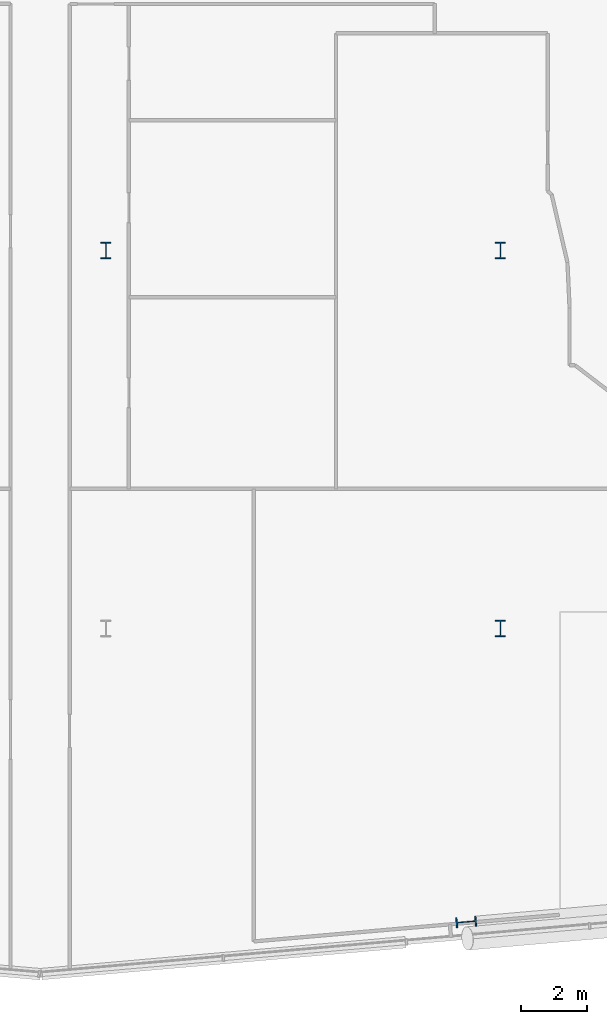
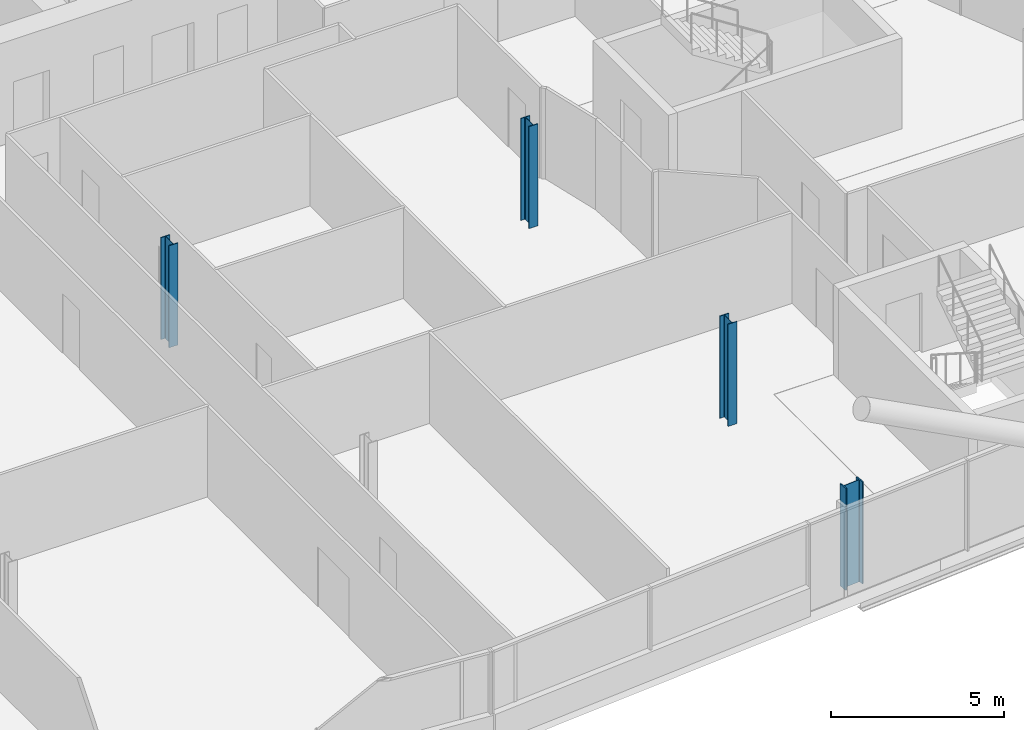
# One storey, part 2 of 26: 4 columns.
"""IFC4 building model written with IfcOpenShell, lengths in metres."""

import ifcopenshell
import ifcopenshell.guid

model = None  # the IFC model being written
_history = None  # IfcOwnerHistory: only IFC2X3 demands one
_inside = {}  # id of a spatial element -> (the spatial element, [elements in it])
_under = {}  # id of a project, library or spatial element -> (it, [spatial elements below it])
_declared = {}  # id of a project -> (the project, [libraries it declares])
_typed = {}  # id of a type object -> (the type object, [elements of that type])
_made_of = {}  # id of a material, layer set ... -> (it, [elements and type objects made of it])


def new_model(schema):
    """Start an empty IFC model of exactly this schema.

    Asked for "IFC4X3", IfcOpenShell would pick the latest addendum, in which some entities
    have other attributes; the version numbers below select the first issue.
    IFC2X3 requires an IfcOwnerHistory on every rooted entity: one is made here for all.
    """
    global model, _history
    if schema == "IFC4X3":
        model = ifcopenshell.file(schema_version=(4, 3, 0, 0))
    else:
        model = ifcopenshell.file(schema=schema)
    _inside.clear()
    _under.clear()
    _declared.clear()
    _typed.clear()
    _made_of.clear()
    _history = None
    if model.schema == "IFC2X3":
        org = make("IfcOrganization", Name="unknown")
        user = make(
            "IfcPersonAndOrganization",
            ThePerson=make("IfcPerson", FamilyName="unknown"),
            TheOrganization=org,
        )
        app = make(
            "IfcApplication",
            ApplicationDeveloper=org,
            Version="unknown",
            ApplicationFullName="unknown",
            ApplicationIdentifier="unknown",
        )
        _history = make(
            "IfcOwnerHistory",
            OwningUser=user,
            OwningApplication=app,
            ChangeAction="ADDED",
            CreationDate=0,
        )
    return model


def make(cls, **values):
    """One entity of the class cls with the attributes given. An attribute that is None is left unset."""
    return model.create_entity(
        cls, **{name: value for name, value in values.items() if value is not None}
    )


def rooted(cls, **values):
    """An entity with a GlobalId (a new one), such as an element, a storey or a relation."""
    return make(cls, GlobalId=ifcopenshell.guid.new(), OwnerHistory=_history, **values)


def si_unit(unit_type, name, prefix=None):
    """IfcSIUnit, for example si_unit("LENGTHUNIT", "METRE", prefix="MILLI")."""
    return make("IfcSIUnit", UnitType=unit_type, Prefix=prefix, Name=name)


def assignment(units):
    """IfcUnitAssignment: the units of a project."""
    return None if units is None else make("IfcUnitAssignment", Units=units)


def point(xyz):
    """IfcCartesianPoint."""
    return None if xyz is None else make("IfcCartesianPoint", Coordinates=xyz)


def direction(xyz):
    """IfcDirection."""
    return None if xyz is None else make("IfcDirection", DirectionRatios=xyz)


def frame(location, z_axis=None, x_axis=None):
    """IfcAxis2Placement3D, a coordinate frame: its origin and axes. An axis left out is left unset."""
    return make(
        "IfcAxis2Placement3D",
        Location=point(location),
        Axis=direction(z_axis),
        RefDirection=direction(x_axis),
    )


def frame_2d(location, x_axis=None):
    """IfcAxis2Placement2D, a coordinate frame in the plane: its origin and x axis."""
    return make(
        "IfcAxis2Placement2D", Location=point(location), RefDirection=direction(x_axis)
    )


def origin():
    """The frame at (0, 0, 0) with its axes left unset."""
    return frame((0.0, 0.0, 0.0))


def origin_2d():
    """The frame at (0, 0) in the plane with its x axis left unset."""
    return frame_2d((0.0, 0.0))


def place(relative_to, where):
    """IfcLocalPlacement: puts the frame where relative to a parent placement (None: the world)."""
    return make(
        "IfcLocalPlacement", PlacementRelTo=relative_to, RelativePlacement=where
    )


def context(
    kind, dimensions, precision=None, world=None, true_north=None, identifier=None
):
    """IfcGeometricRepresentationContext, for example the 3D "Model" context."""
    return make(
        "IfcGeometricRepresentationContext",
        ContextIdentifier=identifier,
        ContextType=kind,
        CoordinateSpaceDimension=dimensions,
        Precision=precision,
        WorldCoordinateSystem=world,
        TrueNorth=true_north,
    )


def subcontext(parent, identifier, kind, view, scale=None):
    """IfcGeometricRepresentationSubContext, for example "Body" below "Model"."""
    return make(
        "IfcGeometricRepresentationSubContext",
        ContextIdentifier=identifier,
        ContextType=kind,
        ParentContext=parent,
        TargetScale=scale,
        TargetView=view,
    )


def project(units=None, contexts=None):
    """IfcProject with its units and contexts."""
    return rooted(
        "IfcProject",
        Name="project",
        RepresentationContexts=contexts,
        UnitsInContext=assignment(units),
    )


def spatial(cls, under=None, at=None, **own):
    """A site, building, storey or space (cls), placed at a placement, below another one or the project."""
    s = rooted(cls, ObjectPlacement=at, **own)
    if under is not None:
        _under.setdefault(under.id(), (under, []))[1].append(s)
    return s


def profile(cls, at=None, kind="AREA", **sizes):
    """A parametric profile (cls). Its sizes go by their IFC names, for example OverallWidth=200.0."""
    return make(cls, ProfileType=kind, Position=at, **sizes)


def i_section(**sizes):
    """IfcIShapeProfileDef."""
    return profile("IfcIShapeProfileDef", **sizes)


def extrude(swept, where, along, depth):
    """IfcExtrudedAreaSolid: the profile swept, set in the frame where, extruded along a direction by depth."""
    return make(
        "IfcExtrudedAreaSolid",
        SweptArea=swept,
        Position=where,
        ExtrudedDirection=direction(along),
        Depth=depth,
    )


def shape(context_of_items, identifier, shape_type, items):
    """IfcShapeRepresentation: the items that make up one representation, for example the "Body"."""
    return make(
        "IfcShapeRepresentation",
        ContextOfItems=context_of_items,
        RepresentationIdentifier=identifier,
        RepresentationType=shape_type,
        Items=items,
    )


def material(Name=None, Category=None):
    """IfcMaterial."""
    return make("IfcMaterial", Name=Name, Category=Category)


def material_profile(
    of_material, cross_section, Name=None, Category=None, Priority=None
):
    """IfcMaterialProfile: a cross section and its material."""
    return make(
        "IfcMaterialProfile",
        Name=Name,
        Material=of_material,
        Profile=cross_section,
        Priority=Priority,
        Category=Category,
    )


def profile_set(profiles, Name=None, composite=None):
    """IfcMaterialProfileSet."""
    return make(
        "IfcMaterialProfileSet",
        Name=Name,
        MaterialProfiles=profiles,
        CompositeProfile=composite,
    )


def made_of(thing, what):
    """Note that an element or type object is made of a material, layer set ...; save() writes the relation."""
    if what is not None:
        _made_of.setdefault(what.id(), (what, []))[1].append(thing)
    return thing


def type_object(cls, material=None, **own):
    """A type object (cls), such as IfcWallType, which elements share."""
    return made_of(rooted(cls, **own), material)


def element(
    cls,
    number,
    at=None,
    inside=None,
    cuts=None,
    type_object=None,
    material=None,
    context=None,
    identifier="Body",
    shape_type=None,
    held_by="IfcProductDefinitionShape",
    body=None,
    shapes=None,
    **own,
):
    """One element of the class cls, such as IfcWall. Its Tag is "e" and its number.

    at: its placement. inside: the storey or other place that contains it. cuts: it is an
    opening in that element (IfcRelVoidsElement). A single representation is given by context,
    identifier, shape_type and body (its items); several are given by shapes. held_by: the class
    of the entity that holds the representations. save() writes the other relations.
    """
    e = rooted(cls, Tag="e%d" % number, ObjectPlacement=at, **own)
    if body is not None:
        shapes = [shape(context, identifier, shape_type, body)]
    if shapes is not None:
        e.Representation = make(held_by, Representations=shapes)
    if inside is not None:
        _inside.setdefault(inside.id(), (inside, []))[1].append(e)
    if cuts is not None:
        rooted(
            "IfcRelVoidsElement", RelatingBuildingElement=cuts, RelatedOpeningElement=e
        )
    if type_object is not None:
        _typed.setdefault(type_object.id(), (type_object, []))[1].append(e)
    return made_of(e, material)


def aggregate(whole, parts):
    """IfcRelAggregates: a whole, such as a stair, and the parts it consists of."""
    return rooted("IfcRelAggregates", RelatingObject=whole, RelatedObjects=parts)


def save(model, path):
    """Write the relations noted so far, then the file.

    IfcRelAggregates (storeys below a building ...), IfcRelContainedInSpatialStructure (elements
    in a storey), IfcRelDefinesByType, IfcRelAssociatesMaterial and IfcRelDeclares: one each for
    every whole, place, type object, material and project.
    """
    for whole, parts in _under.values():
        aggregate(whole, parts)
    for where, things in _inside.values():
        rooted(
            "IfcRelContainedInSpatialStructure",
            RelatedElements=things,
            RelatingStructure=where,
        )
    for kind, things in _typed.values():
        rooted("IfcRelDefinesByType", RelatedObjects=things, RelatingType=kind)
    for what, things in _made_of.values():
        rooted("IfcRelAssociatesMaterial", RelatedObjects=things, RelatingMaterial=what)
    for by, libraries in _declared.values():
        rooted("IfcRelDeclares", RelatingContext=by, RelatedDefinitions=libraries)
    model.write(path)


model = new_model("IFC4")

# Units and contexts
model_context = context("Model", 3, precision=1e-05, world=origin(), true_north=direction((0.0, 1.0)))
body_context = subcontext(model_context, "Body", "Model", "MODEL_VIEW")
ifc_project = project(units=[si_unit("LENGTHUNIT", "METRE"), si_unit("AREAUNIT", "SQUARE_METRE"), si_unit("VOLUMEUNIT", "CUBIC_METRE"), si_unit("PLANEANGLEUNIT", "RADIAN"), si_unit("MASSUNIT", "GRAM", prefix="KILO")], contexts=[model_context])

# Site, building, storey
site_placement = place(None, origin())
site = spatial("IfcSite", under=ifc_project, at=site_placement, CompositionType="ELEMENT")
building_placement = place(site_placement, origin())
building = spatial("IfcBuilding", under=site, at=building_placement, Name="Wharfspan Tower", CompositionType="ELEMENT")
storey_placement = place(building_placement, frame((0.0, 0.0, 166.300049)))
storey = spatial("IfcBuildingStorey", under=building, at=storey_placement, Name="L40", CompositionType="ELEMENT", Elevation=166.300049)

# Columns
ifc_material = material(Name="Steel S355J2", Category="steel")
ifc_material_profile_1 = material_profile(ifc_material, i_section(OverallWidth=0.300049, OverallDepth=0.5, WebThickness=0.014404, FlangeThickness=0.028076, FilletRadius=0.0271, at=origin_2d()))
ifc_profile_set_1 = profile_set([ifc_material_profile_1], Name="Steel S355J2")
column_type_1 = type_object("IfcColumnType", Name="Column HEB 500", PredefinedType="COLUMN", material=ifc_profile_set_1)
for number, where, z_axis, x_axis, name in (
    (1, (60.0, 11.5, 0.0), (0.0, 0.0, 1.0), (1.0, 0.0, 0.0), "Interior column I.1.4 L40"),
    (2, (48.0, 23.0, 0.0), (0.0, 0.0, 1.0), (1.0, 0.0, 0.0), "Interior column I.2.3 L40"),
    (3, (60.0, 23.0, 0.0), (0.0, 0.0, 1.0), (1.0, 0.0, 0.0), "Interior column I.2.4 L40"),
):
    element("IfcColumn", number, at=place(storey_placement, frame(where, z_axis=z_axis, x_axis=x_axis)), inside=storey, type_object=column_type_1, Name=name, PredefinedType="COLUMN", context=body_context, shape_type="SweptSolid", body=[
        extrude(i_section(OverallWidth=0.300049, OverallDepth=0.5, WebThickness=0.014404, FlangeThickness=0.028076, FilletRadius=0.0271, at=origin_2d()), origin(), (0.0, 0.0, 1.0), 3.599854),
    ])
ifc_material_profile_2 = material_profile(ifc_material, i_section(OverallWidth=0.304932, OverallDepth=0.620117, WebThickness=0.020996, FlangeThickness=0.040039, FilletRadius=0.0271, at=origin_2d()))
ifc_profile_set_2 = profile_set([ifc_material_profile_2], Name="Steel S355J2")
column_type_2 = type_object("IfcColumnType", Name="Column HEM 600", PredefinedType="COLUMN", material=ifc_profile_set_2)
column_placement = place(storey_placement, frame((58.960693, 2.573486, 0.0), z_axis=(0.0, 0.0, 1.0), x_axis=(0.087156, -0.996198, 0.0)))
element("IfcColumn", 4, at=column_placement, inside=storey, type_object=column_type_2, Name="Perimeter column PS2.1 L40", PredefinedType="COLUMN", context=body_context, shape_type="SweptSolid", body=[
    extrude(i_section(OverallWidth=0.304932, OverallDepth=0.620117, WebThickness=0.020996, FlangeThickness=0.040039, FilletRadius=0.0271, at=origin_2d()), origin(), (0.0, 0.0, 1.0), 3.599854),
])

save(model, "model.ifc")
